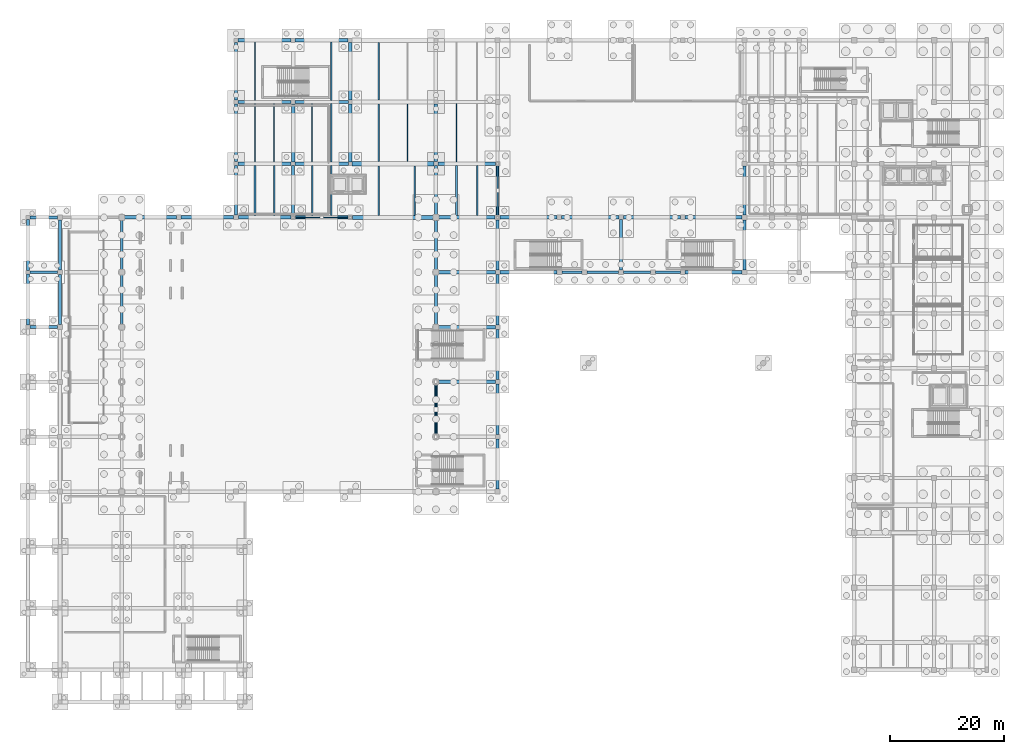
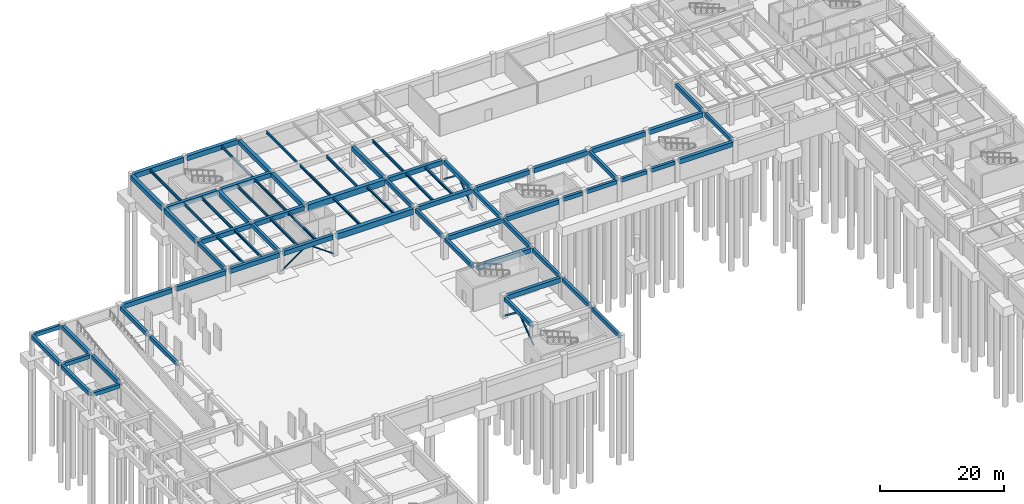
# One storey, part 9 of 33: 75 beams, 6 members.
"""IFC4 building model written with IfcOpenShell, lengths in metres."""

from ifc_helpers import new_model, si_unit, direction, frame, origin, origin_2d, place, context, subcontext, project, spatial, rectangle, hollow_rectangle, hollow_circle, i_section, extrude, material, material_profile, profile_set, type_object, element, save


model = new_model("IFC4")

# Units and contexts
model_context = context("Model", 3, precision=1e-05, world=origin(), true_north=direction((0.0, 1.0)))
body_context = subcontext(model_context, "Body", "Model", "MODEL_VIEW")
ifc_project = project(units=[si_unit("LENGTHUNIT", "METRE"), si_unit("AREAUNIT", "SQUARE_METRE"), si_unit("VOLUMEUNIT", "CUBIC_METRE"), si_unit("PLANEANGLEUNIT", "RADIAN"), si_unit("MASSUNIT", "GRAM", prefix="KILO")], contexts=[model_context])

# Site, building, storey
site_placement = place(None, origin())
site = spatial("IfcSite", under=ifc_project, at=site_placement, CompositionType="ELEMENT")
building_placement = place(site_placement, origin())
building = spatial("IfcBuilding", under=site, at=building_placement, Name="Veldera Park Congress Hotel", CompositionType="ELEMENT")
storey_placement = place(building_placement, frame((0.0, 0.0, -4.5)))
storey = spatial("IfcBuildingStorey", under=building, at=storey_placement, Name="B1", CompositionType="ELEMENT", Elevation=-4.5)

# Beams
ifc_material_1 = material(Name="Concrete f'c 40 MPa (5,800 psi)", Category="concrete")
ifc_material_profile_1 = material_profile(ifc_material_1, rectangle(XDim=0.75, YDim=1.14990234375, at=origin_2d()), Name="RC 750x1150")
ifc_profile_set_1 = profile_set([ifc_material_profile_1], Name="Concrete f'c 40 MPa (5,800 psi)")
beam_type_1 = type_object("IfcBeamType", Name="BM-RC1150", PredefinedType="BEAM", material=ifc_profile_set_1)
beam_1_placement = place(storey_placement, frame((-27.0, 27.0, 3.625), z_axis=(1.0, 0.0, 0.0), x_axis=(0.0, 1.0, 0.0)))
element("IfcBeam", 1, at=beam_1_placement, inside=storey, type_object=beam_type_1, Name="B1 Girder BM-RC1150 68", PredefinedType="BEAM", context=body_context, shape_type="SweptSolid", body=[
    extrude(rectangle(XDim=0.75, YDim=1.14990234375, at=origin_2d()), origin(), (0.0, 0.0, 1.0), 14.10009765625),
])
beam_2_placement = place(storey_placement, frame((-27.074951171875, 36.39990234375, 3.625), z_axis=(1.0, 0.0, 0.0), x_axis=(0.0, 1.0, 0.0)))
element("IfcBeam", 2, at=beam_2_placement, inside=storey, type_object=beam_type_1, Name="B1 Girder BM-RC1150 82", PredefinedType="BEAM", context=body_context, shape_type="SweptSolid", body=[
    extrude(rectangle(XDim=0.75, YDim=1.14990234375, at=origin_2d()), origin(), (0.0, 0.0, 1.0), 14.324951171875),
])
ifc_material_profile_2 = material_profile(ifc_material_1, rectangle(XDim=0.5, YDim=0.75, at=origin_2d()), Name="RC 500x750")
ifc_profile_set_2 = profile_set([ifc_material_profile_2], Name="Concrete f'c 40 MPa (5,800 psi)")
beam_type_2 = type_object("IfcBeamType", Name="BM-RC750", PredefinedType="BEAM", material=ifc_profile_set_2)
for number, where, z_axis, x_axis, name in (
    (3, (-83.47509765625, 7.800048828125, 3.824951171875), (1.0, 0.0, 0.0), (0.0, 1.0, 0.0), "B1 Girder BM-RC750 46"),
    (4, (-83.47509765625, 17.39990234375, 3.824951171875), (1.0, 0.0, 0.0), (0.0, 1.0, 0.0), "B1 Girder BM-RC750 51"),
):
    element("IfcBeam", number, at=place(storey_placement, frame(where, z_axis=z_axis, x_axis=x_axis)), inside=storey, type_object=beam_type_2, Name=name, PredefinedType="BEAM", context=body_context, shape_type="SweptSolid", body=[
        extrude(rectangle(XDim=0.5, YDim=0.75, at=origin_2d()), origin(), (0.0, 0.0, 1.0), 4.85009765625),
    ])
beam_3_placement = place(storey_placement, frame((9.625, 17.39990234375, 3.824951171875), z_axis=(1.0, 0.0, 0.0), x_axis=(0.0, 1.0, 0.0)))
element("IfcBeam", 5, at=beam_3_placement, inside=storey, type_object=beam_type_2, Name="B1 Girder BM-RC750 54", PredefinedType="BEAM", context=body_context, shape_type="SweptSolid", body=[
    extrude(rectangle(XDim=0.5, YDim=0.75, at=origin_2d()), origin(), (0.0, 0.0, 1.0), 3.550048828125),
])
beam_4_placement = place(storey_placement, frame((14.02490234375, 17.39990234375, 3.824951171875), z_axis=(1.0, 0.0, 0.0), x_axis=(0.0, 1.0, 0.0)))
element("IfcBeam", 6, at=beam_4_placement, inside=storey, type_object=beam_type_2, Name="B1 Girder BM-RC750 55", PredefinedType="BEAM", context=body_context, shape_type="SweptSolid", body=[
    extrude(rectangle(XDim=0.5, YDim=0.75, at=origin_2d()), origin(), (0.0, 0.0, 1.0), 5.550048828125),
])
beam_5_placement = place(storey_placement, frame((20.425048828125, 17.39990234375, 3.824951171875), z_axis=(1.0, 0.0, 0.0), x_axis=(0.0, 1.0, 0.0)))
element("IfcBeam", 7, at=beam_5_placement, inside=storey, type_object=beam_type_2, Name="B1 Girder BM-RC750 56", PredefinedType="BEAM", context=body_context, shape_type="SweptSolid", body=[
    extrude(rectangle(XDim=0.5, YDim=0.75, at=origin_2d()), origin(), (0.0, 0.0, 1.0), 4.75),
])
beam_6_placement = place(storey_placement, frame((26.02490234375, 17.39990234375, 3.824951171875), z_axis=(1.0, 0.0, 0.0), x_axis=(0.0, 1.0, 0.0)))
element("IfcBeam", 8, at=beam_6_placement, inside=storey, type_object=beam_type_2, Name="B1 Girder BM-RC750 57", PredefinedType="BEAM", context=body_context, shape_type="SweptSolid", body=[
    extrude(rectangle(XDim=0.5, YDim=0.75, at=origin_2d()), origin(), (0.0, 0.0, 1.0), 4.35009765625),
])
beam_7_placement = place(storey_placement, frame((-83.47509765625, 27.0, 3.824951171875), z_axis=(1.0, 0.0, 0.0), x_axis=(0.0, 1.0, 0.0)))
element("IfcBeam", 9, at=beam_7_placement, inside=storey, type_object=beam_type_2, Name="B1 Girder BM-RC750 63", PredefinedType="BEAM", context=body_context, shape_type="SweptSolid", body=[
    extrude(rectangle(XDim=0.5, YDim=0.75, at=origin_2d()), origin(), (0.0, 0.0, 1.0), 4.85009765625),
])
beam_8_placement = place(storey_placement, frame((-67.39990234375, 8.27490234375, 3.824951171875), z_axis=(0.0, 1.0, 0.0), x_axis=(-1.0, 0.0, 0.0)))
element("IfcBeam", 10, at=beam_8_placement, inside=storey, type_object=beam_type_2, Name="B1 Girder BM-RC750 136", PredefinedType="BEAM", context=body_context, shape_type="SweptSolid", body=[
    extrude(rectangle(XDim=0.5, YDim=0.75, at=origin_2d()), origin(), (0.0, 0.0, 1.0), 8.650146484375),
])
beam_9_placement = place(storey_placement, frame((-67.39990234375, 17.875, 3.824951171875), z_axis=(0.0, 1.0, 0.0), x_axis=(-1.0, 0.0, 0.0)))
element("IfcBeam", 11, at=beam_9_placement, inside=storey, type_object=beam_type_2, Name="B1 Girder BM-RC750 137", PredefinedType="BEAM", context=body_context, shape_type="SweptSolid", body=[
    extrude(rectangle(XDim=0.5, YDim=0.75, at=origin_2d()), origin(), (0.0, 0.0, 1.0), 8.625),
])
beam_10_placement = place(storey_placement, frame((-47.39990234375, 27.39990234375, 3.824951171875), z_axis=(0.0, 1.0, 0.0), x_axis=(-1.0, 0.0, 0.0)))
element("IfcBeam", 12, at=beam_10_placement, inside=storey, type_object=beam_type_2, Name="B1 Girder BM-RC750 140", PredefinedType="BEAM", context=body_context, shape_type="SweptSolid", body=[
    extrude(rectangle(XDim=0.5, YDim=0.75, at=origin_2d()), origin(), (0.0, 0.0, 1.0), 8.650146484375),
])
beam_11_placement = place(storey_placement, frame((-37.39990234375, 27.39990234375, 3.824951171875), z_axis=(0.0, 1.0, 0.0), x_axis=(-1.0, 0.0, 0.0)))
element("IfcBeam", 13, at=beam_11_placement, inside=storey, type_object=beam_type_2, Name="B1 Girder BM-RC750 146", PredefinedType="BEAM", context=body_context, shape_type="SweptSolid", body=[
    extrude(rectangle(XDim=0.5, YDim=0.75, at=origin_2d()), origin(), (0.0, 0.0, 1.0), 8.675048828125),
])
for number, where, z_axis, x_axis, name in (
    (14, (-12.39990234375, -10.925048828125, 3.824951171875), (0.0, 1.0, 0.0), (-1.0, 0.0, 0.0), "B1 Girder BM-RC750 150"),
    (15, (-12.39990234375, 8.27490234375, 3.824951171875), (0.0, 1.0, 0.0), (-1.0, 0.0, 0.0), "B1 Girder BM-RC750 151"),
):
    element("IfcBeam", number, at=place(storey_placement, frame(where, z_axis=z_axis, x_axis=x_axis)), inside=storey, type_object=beam_type_2, Name=name, PredefinedType="BEAM", context=body_context, shape_type="SweptSolid", body=[
        extrude(rectangle(XDim=0.5, YDim=0.75, at=origin_2d()), origin(), (0.0, 0.0, 1.0), 8.650146484375),
    ])
beam_12_placement = place(storey_placement, frame((-12.39990234375, 17.875, 3.824951171875), z_axis=(0.0, 1.0, 0.0), x_axis=(-1.0, 0.0, 0.0)))
element("IfcBeam", 16, at=beam_12_placement, inside=storey, type_object=beam_type_2, Name="B1 Girder BM-RC750 152", PredefinedType="BEAM", context=body_context, shape_type="SweptSolid", body=[
    extrude(rectangle(XDim=0.5, YDim=0.75, at=origin_2d()), origin(), (0.0, 0.0, 1.0), 8.625),
])
beam_13_placement = place(storey_placement, frame((-12.39990234375, 27.5, 3.824951171875), z_axis=(0.0, 1.0, 0.0), x_axis=(-1.0, 0.0, 0.0)))
element("IfcBeam", 17, at=beam_13_placement, inside=storey, type_object=beam_type_2, Name="B1 Girder BM-RC750 153", PredefinedType="BEAM", context=body_context, shape_type="SweptSolid", body=[
    extrude(rectangle(XDim=0.5, YDim=0.75, at=origin_2d()), origin(), (0.0, 0.0, 1.0), 8.550048828125),
])
beam_14_placement = place(storey_placement, frame((-1.60009765625, -20.574951171875, 3.824951171875), z_axis=(0.0, 1.0, 0.0), x_axis=(-1.0, 0.0, 0.0)))
element("IfcBeam", 18, at=beam_14_placement, inside=storey, type_object=beam_type_2, Name="B1 Girder BM-RC750 156", PredefinedType="BEAM", context=body_context, shape_type="SweptSolid", body=[
    extrude(rectangle(XDim=0.5, YDim=0.75, at=origin_2d()), origin(), (0.0, 0.0, 1.0), 8.77490234375),
])
beam_15_placement = place(storey_placement, frame((-1.60009765625, -11.0, 3.824951171875), z_axis=(0.0, 1.0, 0.0), x_axis=(-1.0, 0.0, 0.0)))
element("IfcBeam", 19, at=beam_15_placement, inside=storey, type_object=beam_type_2, Name="B1 Girder BM-RC750 157", PredefinedType="BEAM", context=body_context, shape_type="SweptSolid", body=[
    extrude(rectangle(XDim=0.5, YDim=0.75, at=origin_2d()), origin(), (0.0, 0.0, 1.0), 8.800048828125),
])
beam_16_placement = place(storey_placement, frame((-1.60009765625, -1.39990234375, 3.824951171875), z_axis=(0.0, 1.0, 0.0), x_axis=(-1.0, 0.0, 0.0)))
element("IfcBeam", 20, at=beam_16_placement, inside=storey, type_object=beam_type_2, Name="B1 Girder BM-RC750 158", PredefinedType="BEAM", context=body_context, shape_type="SweptSolid", body=[
    extrude(rectangle(XDim=0.5, YDim=0.75, at=origin_2d()), origin(), (0.0, 0.0, 1.0), 8.7998046875),
])
beam_17_placement = place(storey_placement, frame((-1.60009765625, 8.199951171875, 3.824951171875), z_axis=(0.0, 1.0, 0.0), x_axis=(-1.0, 0.0, 0.0)))
element("IfcBeam", 21, at=beam_17_placement, inside=storey, type_object=beam_type_2, Name="B1 Girder BM-RC750 159", PredefinedType="BEAM", context=body_context, shape_type="SweptSolid", body=[
    extrude(rectangle(XDim=0.5, YDim=0.75, at=origin_2d()), origin(), (0.0, 0.0, 1.0), 8.800048828125),
])
beam_18_placement = place(storey_placement, frame((-1.60009765625, 17.800048828125, 3.824951171875), z_axis=(0.0, 1.0, 0.0), x_axis=(-1.0, 0.0, 0.0)))
element("IfcBeam", 22, at=beam_18_placement, inside=storey, type_object=beam_type_2, Name="B1 Girder BM-RC750 160", PredefinedType="BEAM", context=body_context, shape_type="SweptSolid", body=[
    extrude(rectangle(XDim=0.5, YDim=0.75, at=origin_2d()), origin(), (0.0, 0.0, 1.0), 8.77490234375),
])
beam_19_placement = place(storey_placement, frame((-1.60009765625, 27.425048828125, 3.824951171875), z_axis=(0.0, 1.0, 0.0), x_axis=(-1.0, 0.0, 0.0)))
element("IfcBeam", 23, at=beam_19_placement, inside=storey, type_object=beam_type_2, Name="B1 Girder BM-RC750 161", PredefinedType="BEAM", context=body_context, shape_type="SweptSolid", body=[
    extrude(rectangle(XDim=0.5, YDim=0.75, at=origin_2d()), origin(), (0.0, 0.0, 1.0), 8.574951171875),
])
beam_20_placement = place(storey_placement, frame((20.0, 17.824951171875, 3.824951171875), z_axis=(0.0, 1.0, 0.0), x_axis=(-1.0, 0.0, 0.0)))
element("IfcBeam", 24, at=beam_20_placement, inside=storey, type_object=beam_type_2, Name="B1 Girder BM-RC750 165", PredefinedType="BEAM", context=body_context, shape_type="SweptSolid", body=[
    extrude(rectangle(XDim=0.5, YDim=0.75, at=origin_2d()), origin(), (0.0, 0.0, 1.0), 8.775146484375),
])
beam_21_placement = place(storey_placement, frame((41.60009765625, 17.824951171875, 3.824951171875), z_axis=(0.0, 1.0, 0.0), x_axis=(-1.0, 0.0, 0.0)))
element("IfcBeam", 25, at=beam_21_placement, inside=storey, type_object=beam_type_2, Name="B1 Girder BM-RC750 166", PredefinedType="BEAM", context=body_context, shape_type="SweptSolid", body=[
    extrude(rectangle(XDim=0.5, YDim=0.75, at=origin_2d()), origin(), (0.0, 0.0, 1.0), 8.75),
])
beam_22_placement = place(storey_placement, frame((41.60009765625, 27.425048828125, 3.824951171875), z_axis=(0.0, 1.0, 0.0), x_axis=(-1.0, 0.0, 0.0)))
element("IfcBeam", 26, at=beam_22_placement, inside=storey, type_object=beam_type_2, Name="B1 Girder BM-RC750 167", PredefinedType="BEAM", context=body_context, shape_type="SweptSolid", body=[
    extrude(rectangle(XDim=0.5, YDim=0.75, at=origin_2d()), origin(), (0.0, 0.0, 1.0), 8.574951171875),
])
ifc_material_profile_3 = material_profile(ifc_material_1, rectangle(XDim=0.550048828125, YDim=0.800048828125, at=origin_2d()), Name="RC 550x800")
ifc_profile_set_3 = profile_set([ifc_material_profile_3], Name="Concrete f'c 40 MPa (5,800 psi)")
beam_type_3 = type_object("IfcBeamType", Name="BM-RC750E", PredefinedType="BEAM", material=ifc_profile_set_3)
for number, where, z_axis, x_axis, name in (
    (27, (-83.800048828125, 8.125, 3.800048828125), (0.0, 1.0, 0.0), (-1.0, 0.0, 0.0), "B1 Girder BM-RC750E 118"),
    (28, (-83.800048828125, 17.72509765625, 3.800048828125), (0.0, 1.0, 0.0), (-1.0, 0.0, 0.0), "B1 Girder BM-RC750E 119"),
):
    element("IfcBeam", number, at=place(storey_placement, frame(where, z_axis=z_axis, x_axis=x_axis)), inside=storey, type_object=beam_type_3, Name=name, PredefinedType="BEAM", context=body_context, shape_type="SweptSolid", body=[
        extrude(rectangle(XDim=0.550048828125, YDim=0.800048828125, at=origin_2d()), origin(), (0.0, 0.0, 1.0), 8.949951171875),
    ])
for number, where, z_axis, x_axis, name in (
    (29, (-78.199951171875, 8.22509765625, 3.800048828125), (0.0, 1.0, 0.0), (-1.0, 0.0, 0.0), "B1 Girder BM-RC750E 127"),
    (30, (-78.199951171875, 17.824951171875, 3.800048828125), (0.0, 1.0, 0.0), (-1.0, 0.0, 0.0), "B1 Girder BM-RC750E 128"),
):
    element("IfcBeam", number, at=place(storey_placement, frame(where, z_axis=z_axis, x_axis=x_axis)), inside=storey, type_object=beam_type_3, Name=name, PredefinedType="BEAM", context=body_context, shape_type="SweptSolid", body=[
        extrude(rectangle(XDim=0.550048828125, YDim=0.800048828125, at=origin_2d()), origin(), (0.0, 0.0, 1.0), 8.75),
    ])
ifc_material_profile_4 = material_profile(ifc_material_1, rectangle(XDim=0.60009765625, YDim=0.89990234375, at=origin_2d()), Name="RC 600x900")
ifc_profile_set_4 = profile_set([ifc_material_profile_4], Name="Concrete f'c 40 MPa (5,800 psi)")
beam_type_4 = type_object("IfcBeamType", Name="BM-RC900", PredefinedType="BEAM", material=ifc_profile_set_4)
for number, where, z_axis, x_axis, name in (
    (31, (-11.925048828125, -1.800048828125, 3.75), (1.0, 0.0, 0.0), (0.0, 1.0, 0.0), "B1 Girder BM-RC900 42"),
    (32, (-11.925048828125, 7.800048828125, 3.75), (1.0, 0.0, 0.0), (0.0, 1.0, 0.0), "B1 Girder BM-RC900 47"),
    (33, (-11.925048828125, 17.39990234375, 3.75), (1.0, 0.0, 0.0), (0.0, 1.0, 0.0), "B1 Girder BM-RC900 52"),
):
    element("IfcBeam", number, at=place(storey_placement, frame(where, z_axis=z_axis, x_axis=x_axis)), inside=storey, type_object=beam_type_4, Name=name, PredefinedType="BEAM", context=body_context, shape_type="SweptSolid", body=[
        extrude(rectangle(XDim=0.60009765625, YDim=0.89990234375, at=origin_2d()), origin(), (0.0, 0.0, 1.0), 9.925048828125),
    ])
beam_23_placement = place(storey_placement, frame((-1.199951171875, 17.39990234375, 3.75), z_axis=(1.0, 0.0, 0.0), x_axis=(0.0, 1.0, 0.0)))
element("IfcBeam", 34, at=beam_23_placement, inside=storey, type_object=beam_type_4, Name="B1 Girder BM-RC900 53", PredefinedType="BEAM", context=body_context, shape_type="SweptSolid", body=[
    extrude(rectangle(XDim=0.60009765625, YDim=0.89990234375, at=origin_2d()), origin(), (0.0, 0.0, 1.0), 9.974853515625),
])
beam_24_placement = place(storey_placement, frame((31.22509765625, 17.39990234375, 3.75), z_axis=(1.0, 0.0, 0.0), x_axis=(0.0, 1.0, 0.0)))
element("IfcBeam", 35, at=beam_24_placement, inside=storey, type_object=beam_type_4, Name="B1 Girder BM-RC900 58", PredefinedType="BEAM", context=body_context, shape_type="SweptSolid", body=[
    extrude(rectangle(XDim=0.60009765625, YDim=0.89990234375, at=origin_2d()), origin(), (0.0, 0.0, 1.0), 9.949951171875),
])
beam_25_placement = place(storey_placement, frame((-66.89990234375, 27.0, 3.75), z_axis=(1.0, 0.0, 0.0), x_axis=(0.0, 1.0, 0.0)))
element("IfcBeam", 36, at=beam_25_placement, inside=storey, type_object=beam_type_4, Name="B1 Girder BM-RC900 64", PredefinedType="BEAM", context=body_context, shape_type="SweptSolid", body=[
    extrude(rectangle(XDim=0.60009765625, YDim=0.89990234375, at=origin_2d()), origin(), (0.0, 0.0, 1.0), 9.099853515625),
])
for number, where, z_axis, x_axis, name in (
    (37, (-57.0, 27.0, 3.75), (1.0, 0.0, 0.0), (0.0, 1.0, 0.0), "B1 Girder BM-RC900 65"),
    (38, (-47.0, 27.0, 3.75), (1.0, 0.0, 0.0), (0.0, 1.0, 0.0), "B1 Girder BM-RC900 66"),
    (39, (-37.0, 27.0, 3.75), (1.0, 0.0, 0.0), (0.0, 1.0, 0.0), "B1 Girder BM-RC900 67"),
):
    element("IfcBeam", number, at=place(storey_placement, frame(where, z_axis=z_axis, x_axis=x_axis)), inside=storey, type_object=beam_type_4, Name=name, PredefinedType="BEAM", context=body_context, shape_type="SweptSolid", body=[
        extrude(rectangle(XDim=0.60009765625, YDim=0.89990234375, at=origin_2d()), origin(), (0.0, 0.0, 1.0), 9.199951171875),
    ])
beam_26_placement = place(storey_placement, frame((-11.89990234375, 27.0, 3.75), z_axis=(1.0, 0.0, 0.0), x_axis=(0.0, 1.0, 0.0)))
element("IfcBeam", 40, at=beam_26_placement, inside=storey, type_object=beam_type_4, Name="B1 Girder BM-RC900 69", PredefinedType="BEAM", context=body_context, shape_type="SweptSolid", body=[
    extrude(rectangle(XDim=0.60009765625, YDim=0.89990234375, at=origin_2d()), origin(), (0.0, 0.0, 1.0), 9.875),
])
beam_27_placement = place(storey_placement, frame((-1.175048828125, 27.0, 3.75), z_axis=(1.0, 0.0, 0.0), x_axis=(0.0, 1.0, 0.0)))
element("IfcBeam", 41, at=beam_27_placement, inside=storey, type_object=beam_type_4, Name="B1 Girder BM-RC900 70", PredefinedType="BEAM", context=body_context, shape_type="SweptSolid", body=[
    extrude(rectangle(XDim=0.60009765625, YDim=0.89990234375, at=origin_2d()), origin(), (0.0, 0.0, 1.0), 9.97509765625),
])
for number, where, z_axis, x_axis, name in (
    (42, (9.60009765625, 27.0, 3.75), (1.0, 0.0, 0.0), (0.0, 1.0, 0.0), "B1 Girder BM-RC900 71"),
    (43, (20.39990234375, 27.0, 3.75), (1.0, 0.0, 0.0), (0.0, 1.0, 0.0), "B1 Girder BM-RC900 72"),
):
    element("IfcBeam", number, at=place(storey_placement, frame(where, z_axis=z_axis, x_axis=x_axis)), inside=storey, type_object=beam_type_4, Name=name, PredefinedType="BEAM", context=body_context, shape_type="SweptSolid", body=[
        extrude(rectangle(XDim=0.60009765625, YDim=0.89990234375, at=origin_2d()), origin(), (0.0, 0.0, 1.0), 10.0),
    ])
beam_28_placement = place(storey_placement, frame((31.199951171875, 27.0, 3.75), z_axis=(1.0, 0.0, 0.0), x_axis=(0.0, 1.0, 0.0)))
element("IfcBeam", 44, at=beam_28_placement, inside=storey, type_object=beam_type_4, Name="B1 Girder BM-RC900 73", PredefinedType="BEAM", context=body_context, shape_type="SweptSolid", body=[
    extrude(rectangle(XDim=0.60009765625, YDim=0.89990234375, at=origin_2d()), origin(), (0.0, 0.0, 1.0), 9.97509765625),
])
beam_29_placement = place(storey_placement, frame((-47.050048828125, 36.39990234375, 3.75), z_axis=(1.0, 0.0, 0.0), x_axis=(0.0, 1.0, 0.0)))
element("IfcBeam", 45, at=beam_29_placement, inside=storey, type_object=beam_type_4, Name="B1 Girder BM-RC900 80", PredefinedType="BEAM", context=body_context, shape_type="SweptSolid", body=[
    extrude(rectangle(XDim=0.60009765625, YDim=0.89990234375, at=origin_2d()), origin(), (0.0, 0.0, 1.0), 9.324951171875),
])
beam_30_placement = place(storey_placement, frame((-37.074951171875, 36.39990234375, 3.75), z_axis=(1.0, 0.0, 0.0), x_axis=(0.0, 1.0, 0.0)))
element("IfcBeam", 46, at=beam_30_placement, inside=storey, type_object=beam_type_4, Name="B1 Girder BM-RC900 81", PredefinedType="BEAM", context=body_context, shape_type="SweptSolid", body=[
    extrude(rectangle(XDim=0.60009765625, YDim=0.89990234375, at=origin_2d()), origin(), (0.0, 0.0, 1.0), 9.349853515625),
])
beam_31_placement = place(storey_placement, frame((-12.050048828125, 36.39990234375, 3.75), z_axis=(1.0, 0.0, 0.0), x_axis=(0.0, 1.0, 0.0)))
element("IfcBeam", 47, at=beam_31_placement, inside=storey, type_object=beam_type_4, Name="B1 Girder BM-RC900 83", PredefinedType="BEAM", context=body_context, shape_type="SweptSolid", body=[
    extrude(rectangle(XDim=0.60009765625, YDim=0.89990234375, at=origin_2d()), origin(), (0.0, 0.0, 1.0), 10.050048828125),
])
beam_32_placement = place(storey_placement, frame((-47.050048828125, 47.199951171875, 3.75), z_axis=(1.0, 0.0, 0.0), x_axis=(0.0, 1.0, 0.0)))
element("IfcBeam", 48, at=beam_32_placement, inside=storey, type_object=beam_type_4, Name="B1 Girder BM-RC900 90", PredefinedType="BEAM", context=body_context, shape_type="SweptSolid", body=[
    extrude(rectangle(XDim=0.60009765625, YDim=0.89990234375, at=origin_2d()), origin(), (0.0, 0.0, 1.0), 9.324951171875),
])
beam_33_placement = place(storey_placement, frame((-37.074951171875, 47.199951171875, 3.75), z_axis=(1.0, 0.0, 0.0), x_axis=(0.0, 1.0, 0.0)))
element("IfcBeam", 49, at=beam_33_placement, inside=storey, type_object=beam_type_4, Name="B1 Girder BM-RC900 91", PredefinedType="BEAM", context=body_context, shape_type="SweptSolid", body=[
    extrude(rectangle(XDim=0.60009765625, YDim=0.89990234375, at=origin_2d()), origin(), (0.0, 0.0, 1.0), 9.349853515625),
])
beam_34_placement = place(storey_placement, frame((-47.39990234375, 36.75, 3.75), z_axis=(0.0, 1.0, 0.0), x_axis=(-1.0, 0.0, 0.0)))
element("IfcBeam", 50, at=beam_34_placement, inside=storey, type_object=beam_type_4, Name="B1 Girder BM-RC900 141", PredefinedType="BEAM", context=body_context, shape_type="SweptSolid", body=[
    extrude(rectangle(XDim=0.60009765625, YDim=0.89990234375, at=origin_2d()), origin(), (0.0, 0.0, 1.0), 10.10009765625),
])
beam_35_placement = place(storey_placement, frame((-47.39990234375, 47.550048828125, 3.75), z_axis=(0.0, 1.0, 0.0), x_axis=(-1.0, 0.0, 0.0)))
element("IfcBeam", 51, at=beam_35_placement, inside=storey, type_object=beam_type_4, Name="B1 Girder BM-RC900 142", PredefinedType="BEAM", context=body_context, shape_type="SweptSolid", body=[
    extrude(rectangle(XDim=0.60009765625, YDim=0.89990234375, at=origin_2d()), origin(), (0.0, 0.0, 1.0), 10.099853515625),
])
for number, where, z_axis, x_axis, name in (
    (52, (-37.39990234375, 36.72509765625, 3.75), (0.0, 1.0, 0.0), (-1.0, 0.0, 0.0), "B1 Girder BM-RC900 147"),
    (53, (-27.39990234375, 36.72509765625, 3.75), (0.0, 1.0, 0.0), (-1.0, 0.0, 0.0), "B1 Girder BM-RC900 148"),
):
    element("IfcBeam", number, at=place(storey_placement, frame(where, z_axis=z_axis, x_axis=x_axis)), inside=storey, type_object=beam_type_4, Name=name, PredefinedType="BEAM", context=body_context, shape_type="SweptSolid", body=[
        extrude(rectangle(XDim=0.60009765625, YDim=0.89990234375, at=origin_2d()), origin(), (0.0, 0.0, 1.0), 10.14990234375),
    ])
beam_36_placement = place(storey_placement, frame((-27.39990234375, 47.52490234375, 3.75), z_axis=(0.0, 1.0, 0.0), x_axis=(-1.0, 0.0, 0.0)))
element("IfcBeam", 54, at=beam_36_placement, inside=storey, type_object=beam_type_4, Name="B1 Girder BM-RC900 149", PredefinedType="BEAM", context=body_context, shape_type="SweptSolid", body=[
    extrude(rectangle(XDim=0.60009765625, YDim=0.89990234375, at=origin_2d()), origin(), (0.0, 0.0, 1.0), 10.125),
])
beam_37_placement = place(storey_placement, frame((-12.39990234375, 36.75, 3.75), z_axis=(0.0, 1.0, 0.0), x_axis=(-1.0, 0.0, 0.0)))
element("IfcBeam", 55, at=beam_37_placement, inside=storey, type_object=beam_type_4, Name="B1 Girder BM-RC900 154", PredefinedType="BEAM", context=body_context, shape_type="SweptSolid", body=[
    extrude(rectangle(XDim=0.60009765625, YDim=0.89990234375, at=origin_2d()), origin(), (0.0, 0.0, 1.0), 10.10009765625),
])
ifc_material_profile_5 = material_profile(ifc_material_1, rectangle(XDim=0.64990234375, YDim=0.949951171875, at=origin_2d()), Name="RC 650x950")
ifc_profile_set_5 = profile_set([ifc_material_profile_5], Name="Concrete f'c 40 MPa (5,800 psi)")
beam_type_5 = type_object("IfcBeamType", Name="BM-RC900E", PredefinedType="BEAM", material=ifc_profile_set_5)
for number, where, z_axis, x_axis, name in (
    (56, (-47.050048828125, 58.0, 3.72509765625), (1.0, 0.0, 0.0), (0.0, 1.0, 0.0), "B1 Girder BM-RC900E 98"),
    (57, (-37.050048828125, 58.0, 3.72509765625), (1.0, 0.0, 0.0), (0.0, 1.0, 0.0), "B1 Girder BM-RC900E 99"),
):
    element("IfcBeam", number, at=place(storey_placement, frame(where, z_axis=z_axis, x_axis=x_axis)), inside=storey, type_object=beam_type_5, Name=name, PredefinedType="BEAM", context=body_context, shape_type="SweptSolid", body=[
        extrude(rectangle(XDim=0.64990234375, YDim=0.949951171875, at=origin_2d()), origin(), (0.0, 0.0, 1.0), 9.300048828125),
    ])

# Members
ifc_material_2 = material(Name="Steel ASTM A500 Gr.C", Category="steel")
ifc_material_profile_6 = material_profile(ifc_material_2, hollow_circle(Radius=0.109619140625, WallThickness=0.010009765625, at=origin_2d()), Name="CHS 219.1x10")
ifc_profile_set_6 = profile_set([ifc_material_profile_6], Name="Steel ASTM A500 Gr.C")
member_type_1 = type_object("IfcMemberType", Name="BRC-CHS219", PredefinedType="BRACE", material=ifc_profile_set_6)
for number, where, z_axis, x_axis, name in (
    (58, (-37.39990234375, 27.0, 0.199951171875), (0.815379225871, 0.0, 0.578927213056), (0.0, 1.0, 0.0), "B1 Chevron Brace 4A"),
    (59, (-27.39990234375, 27.0, 0.199951171875), (-0.815379225871, 0.0, 0.578927213056), (0.0, -1.0, 0.0), "B1 Chevron Brace 4B"),
):
    element("IfcMember", number, at=place(storey_placement, frame(where, z_axis=z_axis, x_axis=x_axis)), inside=storey, type_object=member_type_1, Name=name, PredefinedType="BRACE", context=body_context, shape_type="SweptSolid", body=[
        extrude(hollow_circle(Radius=0.109619140625, WallThickness=0.010009765625, at=origin_2d()), origin(), (0.0, 0.0, 1.0), 6.132080078125),
    ])
ifc_material_profile_7 = material_profile(ifc_material_2, hollow_rectangle(XDim=0.25, YDim=0.25, WallThickness=0.01611328125, at=origin_2d()), Name="HSS250X250X16")
ifc_profile_set_7 = profile_set([ifc_material_profile_7], Name="Steel ASTM A500 Gr.C")
member_type_2 = type_object("IfcMemberType", Name="BRC-HSS250", PredefinedType="BRACE", material=ifc_profile_set_7)
for number, where, z_axis, x_axis, name in (
    (60, (-1.60009765625, 27.0, 0.199951171875), (0.0, 0.791837383056, 0.610731986059), (-1.0, 0.0, 0.0), "B1 Chevron Brace 3A"),
    (61, (-1.60009765625, 36.39990234375, 0.199951171875), (0.0, -0.791837383056, 0.610731986059), (1.0, 0.0, 0.0), "B1 Chevron Brace 3B"),
):
    element("IfcMember", number, at=place(storey_placement, frame(where, z_axis=z_axis, x_axis=x_axis)), inside=storey, type_object=member_type_2, Name=name, PredefinedType="BRACE", context=body_context, shape_type="SweptSolid", body=[
        extrude(hollow_rectangle(XDim=0.25, YDim=0.25, WallThickness=0.01611328125, at=origin_2d()), origin(), (0.0, 0.0, 1.0), 5.935546875),
    ])
ifc_material_profile_8 = material_profile(ifc_material_2, hollow_rectangle(XDim=0.199951171875, YDim=0.300048828125, WallThickness=0.012451171875, at=origin_2d()), Name="HSS200X300X12.5")
ifc_profile_set_8 = profile_set([ifc_material_profile_8], Name="Steel ASTM A500 Gr.C")
member_type_3 = type_object("IfcMemberType", Name="BRC-HSS300", PredefinedType="BRACE", material=ifc_profile_set_8)
member_1_placement = place(storey_placement, frame((-12.39990234375, -11.39990234375, 0.199951171875), z_axis=(0.0, 0.797988782624, 0.602672301343), x_axis=(-1.0, 0.0, 0.0)))
element("IfcMember", 62, at=member_1_placement, inside=storey, type_object=member_type_3, Name="B1 Chevron Brace 2A", PredefinedType="BRACE", context=body_context, shape_type="SweptSolid", body=[
    extrude(hollow_rectangle(XDim=0.199951171875, YDim=0.300048828125, WallThickness=0.012451171875, at=origin_2d()), origin(), (0.0, 0.0, 1.0), 6.014892578125),
])
member_2_placement = place(storey_placement, frame((-12.39990234375, -1.800048828125, 0.199951171875), z_axis=(0.0, -0.798003524564, 0.602652781279), x_axis=(1.0, 0.0, 0.0)))
element("IfcMember", 63, at=member_2_placement, inside=storey, type_object=member_type_3, Name="B1 Chevron Brace 2B", PredefinedType="BRACE", context=body_context, shape_type="SweptSolid", body=[
    extrude(hollow_rectangle(XDim=0.199951171875, YDim=0.300048828125, WallThickness=0.012451171875, at=origin_2d()), origin(), (0.0, 0.0, 1.0), 6.01513671875),
])

# Beams
ifc_material_3 = material(Name="Steel ASTM A992 Gr.50", Category="steel")
ifc_material_profile_9 = material_profile(ifc_material_3, i_section(OverallWidth=0.280029296875, OverallDepth=0.462890625, WebThickness=0.0107421875, FlangeThickness=0.017333984375, at=origin_2d()), Name="W18X76")
ifc_profile_set_9 = profile_set([ifc_material_profile_9], Name="Steel ASTM A992 Gr.50")
beam_type_6 = type_object("IfcBeamType", Name="JST-W18B", PredefinedType="JOIST", material=ifc_profile_set_9)
for number, where, z_axis, x_axis, name in (
    (64, (-44.066650390625, 27.300048828125, 3.968505859375), (0.0, 1.0, 0.0), (-1.0, 0.0, 0.0), "B1 Floor Joist JST-W18B 237"),
    (65, (-40.7333984375, 27.300048828125, 3.968505859375), (0.0, 1.0, 0.0), (-1.0, 0.0, 0.0), "B1 Floor Joist JST-W18B 238"),
    (66, (-34.066650390625, 27.300048828125, 3.968505859375), (0.0, 1.0, 0.0), (-1.0, 0.0, 0.0), "B1 Floor Joist JST-W18B 239"),
    (67, (-30.7333984375, 27.300048828125, 3.968505859375), (0.0, 1.0, 0.0), (-1.0, 0.0, 0.0), "B1 Floor Joist JST-W18B 240"),
):
    element("IfcBeam", number, at=place(storey_placement, frame(where, z_axis=z_axis, x_axis=x_axis)), inside=storey, type_object=beam_type_6, Name=name, PredefinedType="JOIST", context=body_context, shape_type="SweptSolid", body=[
        extrude(i_section(OverallWidth=0.280029296875, OverallDepth=0.462890625, WebThickness=0.0107421875, FlangeThickness=0.017333984375, at=origin_2d()), origin(), (0.0, 0.0, 1.0), 8.800048828125),
    ])
for number, where, z_axis, x_axis, name in (
    (68, (-22.39990234375, 27.375, 3.968505859375), (0.0, 1.0, 0.0), (-1.0, 0.0, 0.0), "B1 Floor Joist JST-W18B 241"),
    (69, (-16.10009765625, 27.375, 3.968505859375), (0.0, 1.0, 0.0), (-1.0, 0.0, 0.0), "B1 Floor Joist JST-W18B 242"),
):
    element("IfcBeam", number, at=place(storey_placement, frame(where, z_axis=z_axis, x_axis=x_axis)), inside=storey, type_object=beam_type_6, Name=name, PredefinedType="JOIST", context=body_context, shape_type="SweptSolid", body=[
        extrude(i_section(OverallWidth=0.280029296875, OverallDepth=0.462890625, WebThickness=0.0107421875, FlangeThickness=0.017333984375, at=origin_2d()), origin(), (0.0, 0.0, 1.0), 8.64990234375),
    ])
for number, where, z_axis, x_axis, name in (
    (70, (-8.800048828125, 27.300048828125, 3.968505859375), (0.0, 1.0, 0.0), (-1.0, 0.0, 0.0), "B1 Floor Joist JST-W18B 243"),
    (71, (-5.199951171875, 27.300048828125, 3.968505859375), (0.0, 1.0, 0.0), (-1.0, 0.0, 0.0), "B1 Floor Joist JST-W18B 244"),
):
    element("IfcBeam", number, at=place(storey_placement, frame(where, z_axis=z_axis, x_axis=x_axis)), inside=storey, type_object=beam_type_6, Name=name, PredefinedType="JOIST", context=body_context, shape_type="SweptSolid", body=[
        extrude(i_section(OverallWidth=0.280029296875, OverallDepth=0.462890625, WebThickness=0.0107421875, FlangeThickness=0.017333984375, at=origin_2d()), origin(), (0.0, 0.0, 1.0), 8.800048828125),
    ])
ifc_material_profile_10 = material_profile(ifc_material_3, i_section(OverallWidth=0.2099609375, OverallDepth=0.537109375, WebThickness=0.010986328125, FlangeThickness=0.017333984375, at=origin_2d()), Name="W21X68")
ifc_profile_set_10 = profile_set([ifc_material_profile_10], Name="Steel ASTM A992 Gr.50")
beam_type_7 = type_object("IfcBeamType", Name="JST-W21", PredefinedType="JOIST", material=ifc_profile_set_10)
for number, where, z_axis, x_axis, name in (
    (72, (-44.066650390625, 36.699951171875, 3.931396484375), (0.0, 1.0, 0.0), (-1.0, 0.0, 0.0), "B1 Floor Joist JST-W21 252"),
    (73, (-40.7333984375, 36.699951171875, 3.931396484375), (0.0, 1.0, 0.0), (-1.0, 0.0, 0.0), "B1 Floor Joist JST-W21 253"),
    (74, (-34.066650390625, 36.699951171875, 3.931396484375), (0.0, 1.0, 0.0), (-1.0, 0.0, 0.0), "B1 Floor Joist JST-W21 254"),
    (75, (-30.7333984375, 36.699951171875, 3.931396484375), (0.0, 1.0, 0.0), (-1.0, 0.0, 0.0), "B1 Floor Joist JST-W21 255"),
):
    element("IfcBeam", number, at=place(storey_placement, frame(where, z_axis=z_axis, x_axis=x_axis)), inside=storey, type_object=beam_type_7, Name=name, PredefinedType="JOIST", context=body_context, shape_type="SweptSolid", body=[
        extrude(i_section(OverallWidth=0.2099609375, OverallDepth=0.537109375, WebThickness=0.010986328125, FlangeThickness=0.017333984375, at=origin_2d()), origin(), (0.0, 0.0, 1.0), 10.199951171875),
    ])
for number, where, z_axis, x_axis, name in (
    (76, (-22.39990234375, 36.77490234375, 3.931396484375), (0.0, 1.0, 0.0), (-1.0, 0.0, 0.0), "B1 Floor Joist JST-W21 256"),
    (77, (-17.39990234375, 36.77490234375, 3.931396484375), (0.0, 1.0, 0.0), (-1.0, 0.0, 0.0), "B1 Floor Joist JST-W21 257"),
):
    element("IfcBeam", number, at=place(storey_placement, frame(where, z_axis=z_axis, x_axis=x_axis)), inside=storey, type_object=beam_type_7, Name=name, PredefinedType="JOIST", context=body_context, shape_type="SweptSolid", body=[
        extrude(i_section(OverallWidth=0.2099609375, OverallDepth=0.537109375, WebThickness=0.010986328125, FlangeThickness=0.017333984375, at=origin_2d()), origin(), (0.0, 0.0, 1.0), 10.050048828125),
    ])
beam_38_placement = place(storey_placement, frame((-8.800048828125, 36.699951171875, 3.931396484375), z_axis=(0.0, 1.0, 0.0), x_axis=(-1.0, 0.0, 0.0)))
element("IfcBeam", 78, at=beam_38_placement, inside=storey, type_object=beam_type_7, Name="B1 Floor Joist JST-W21 258", PredefinedType="JOIST", context=body_context, shape_type="SweptSolid", body=[
    extrude(i_section(OverallWidth=0.2099609375, OverallDepth=0.537109375, WebThickness=0.010986328125, FlangeThickness=0.017333984375, at=origin_2d()), origin(), (0.0, 0.0, 1.0), 10.199951171875),
])
for number, where, z_axis, x_axis, name in (
    (79, (-44.066650390625, 47.5, 3.931396484375), (0.0, 1.0, 0.0), (-1.0, 0.0, 0.0), "B1 Floor Joist JST-W21 264"),
    (80, (-30.7333984375, 47.5, 3.931396484375), (0.0, 1.0, 0.0), (-1.0, 0.0, 0.0), "B1 Floor Joist JST-W21 265"),
):
    element("IfcBeam", number, at=place(storey_placement, frame(where, z_axis=z_axis, x_axis=x_axis)), inside=storey, type_object=beam_type_7, Name=name, PredefinedType="JOIST", context=body_context, shape_type="SweptSolid", body=[
        extrude(i_section(OverallWidth=0.2099609375, OverallDepth=0.537109375, WebThickness=0.010986328125, FlangeThickness=0.017333984375, at=origin_2d()), origin(), (0.0, 0.0, 1.0), 10.175048828125),
    ])
beam_39_placement = place(storey_placement, frame((-22.39990234375, 47.574951171875, 3.931396484375), z_axis=(0.0, 1.0, 0.0), x_axis=(-1.0, 0.0, 0.0)))
element("IfcBeam", 81, at=beam_39_placement, inside=storey, type_object=beam_type_7, Name="B1 Floor Joist JST-W21 266", PredefinedType="JOIST", context=body_context, shape_type="SweptSolid", body=[
    extrude(i_section(OverallWidth=0.2099609375, OverallDepth=0.537109375, WebThickness=0.010986328125, FlangeThickness=0.017333984375, at=origin_2d()), origin(), (0.0, 0.0, 1.0), 10.025146484375),
])

save(model, "model.ifc")
